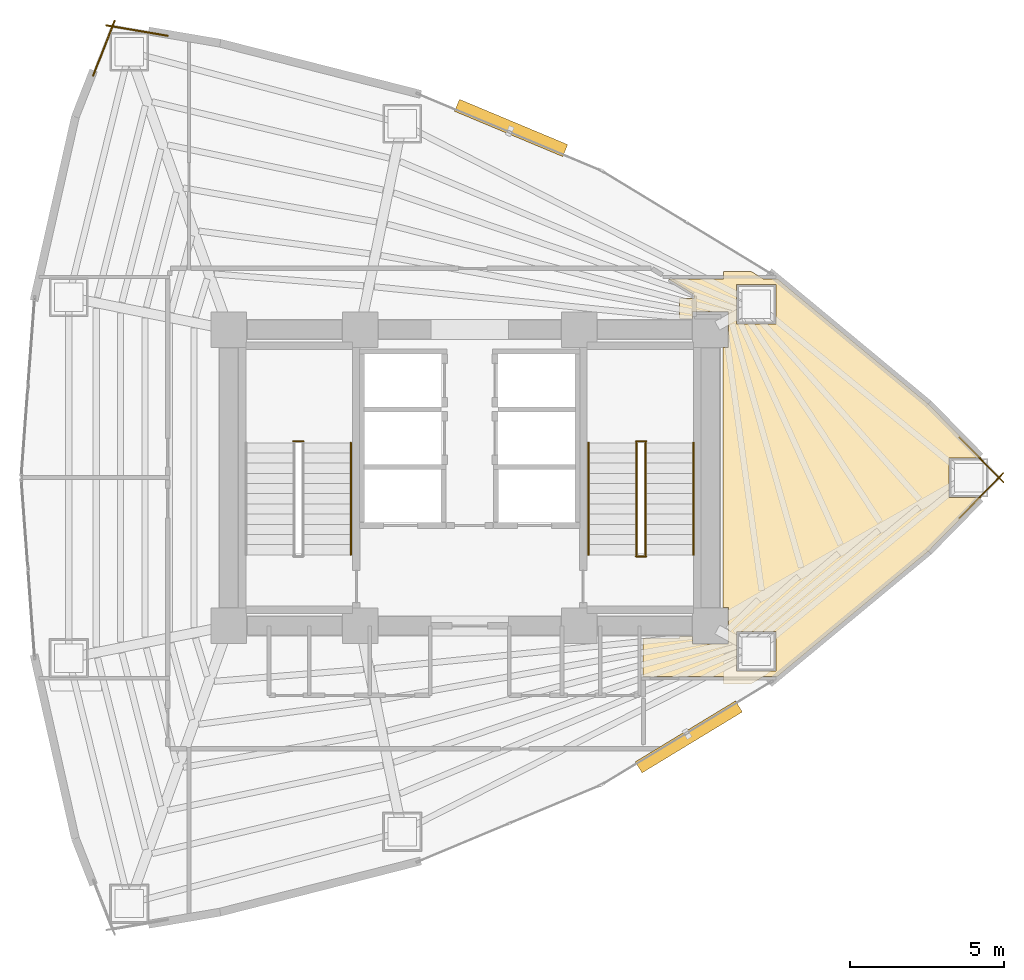
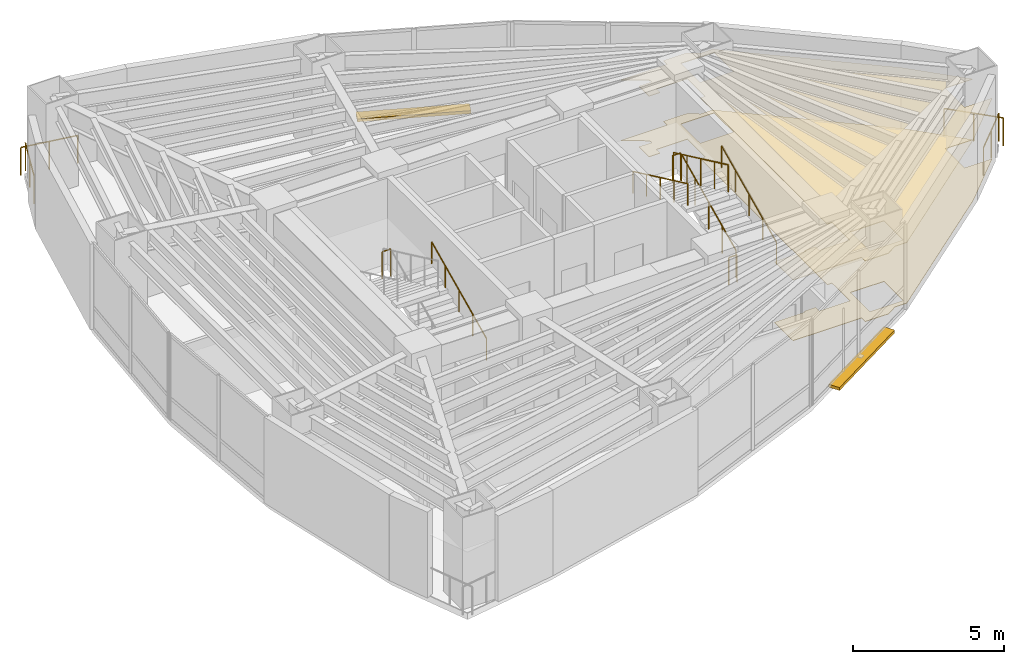
# One storey, part 16 of 16: 12 railings, 2 coverings, 2 shading devices.
"""IFC4 building model written with IfcOpenShell, lengths in metres."""

from ifc_helpers import new_model, si_unit, direction, frame, origin, origin_2d, place, context, subcontext, project, spatial, polyline, rectangle, circle, outline, extrude, material, layer, layer_set, type_object, element, save


model = new_model("IFC4")

# Units and contexts
model_context = context("Model", 3, precision=1e-05, world=origin(), true_north=direction((0.0, 1.0)))
body_context = subcontext(model_context, "Body", "Model", "MODEL_VIEW")
ifc_project = project(units=[si_unit("LENGTHUNIT", "METRE"), si_unit("AREAUNIT", "SQUARE_METRE"), si_unit("VOLUMEUNIT", "CUBIC_METRE"), si_unit("PLANEANGLEUNIT", "RADIAN"), si_unit("MASSUNIT", "GRAM", prefix="KILO")], contexts=[model_context])

# Site, building, storey
site_placement = place(None, origin())
site = spatial("IfcSite", under=ifc_project, at=site_placement, CompositionType="ELEMENT")
building_placement = place(site_placement, origin())
building = spatial("IfcBuilding", under=site, at=building_placement, Name="Menara Vayukalpa", CompositionType="ELEMENT")
storey_placement = place(building_placement, frame((0.0, 0.0, 72.239990234375)))
storey = spatial("IfcBuildingStorey", under=building, at=storey_placement, Name="L17", CompositionType="ELEMENT", Elevation=72.239990234375)

# Coverings
ifc_material_1 = material(Name="Mineral Fibre Acoustic Ceiling Tile", Category="masonry")
ifc_layer_1 = layer(ifc_material_1, 0.02490234375)
ifc_layer_set_1 = layer_set([ifc_layer_1], Name="Mineral Fibre Acoustic Ceiling Tile")
covering_type_1 = type_object("IfcCoveringType", Name="COV-CLG1", PredefinedType="CEILING", material=ifc_layer_set_1)
covering_1_placement = place(storey_placement, frame((0.0, 0.0, 2.449951171875)))
element("IfcCovering", 1, at=covering_1_placement, inside=storey, type_object=covering_type_1, Name="L17 Open Plan Office Workplace Acoustic Ceiling", PredefinedType="CEILING", context=body_context, shape_type="SweptSolid", body=[
    extrude(outline(polyline([(31.218994140625, 15.56005859375), (31.218017578125, 15.560302734375), (31.217041015625, 15.560302734375), (31.21630859375, 15.560791015625), (31.21533203125, 15.561279296875), (31.21435546875, 15.561767578125), (31.213623046875, 15.562255859375), (31.212890625, 15.56298828125), (31.21240234375, 15.563720703125), (31.211669921875, 15.564453125), (31.211181640625, 15.565185546875), (31.210693359375, 15.566162109375), (31.21044921875, 15.567138671875), (31.210205078125, 15.568115234375), (31.2099609375, 15.569091796875), (31.2099609375, 15.570068359375), (31.2099609375, 16.780029296875), (31.2099609375, 16.781005859375), (31.210205078125, 16.781982421875), (31.21044921875, 16.782958984375), (31.210693359375, 16.78369140625), (31.211181640625, 16.78466796875), (31.211669921875, 16.78564453125), (31.21240234375, 16.786376953125), (31.212890625, 16.787109375), (31.213623046875, 16.78759765625), (31.21435546875, 16.788330078125), (31.21533203125, 16.788818359375), (31.21630859375, 16.789306640625), (31.217041015625, 16.78955078125), (31.218017578125, 16.789794921875), (31.218994140625, 16.7900390625), (31.219970703125, 16.7900390625), (32.389892578125, 16.7900390625), (32.389892578125, 16.85009765625), (32.81005859375, 16.85009765625), (32.81005859375, 16.610107421875), (33.989990234375, 16.610107421875), (33.989990234375, 17.7900390625), (33.81005859375, 17.7900390625), (33.81005859375, 26.2099609375), (33.989990234375, 26.2099609375), (33.989990234375, 27.389892578125), (32.81005859375, 27.389892578125), (32.81005859375, 27.14990234375), (32.389892578125, 27.14990234375), (32.389892578125, 27.81005859375), (32.8701171875, 27.81005859375), (32.8701171875, 27.89111328125), (32.86962890625, 27.8984375), (32.868408203125, 27.905517578125), (32.86669921875, 27.912353515625), (32.8642578125, 27.919189453125), (32.861083984375, 27.925537109375), (32.857177734375, 27.931640625), (32.852783203125, 27.937255859375), (32.847900390625, 27.9423828125), (32.84228515625, 27.947021484375), (32.836181640625, 27.951171875), (32.06201171875, 28.42138671875), (32.06103515625, 28.422119140625), (32.060302734375, 28.422607421875), (32.0595703125, 28.42333984375), (32.05908203125, 28.424072265625), (32.05859375, 28.425048828125), (32.05810546875, 28.42578125), (32.0576171875, 28.4267578125), (32.057373046875, 28.427734375), (32.05712890625, 28.4287109375), (32.05712890625, 28.4296875), (32.05712890625, 28.4306640625), (32.05712890625, 28.431640625), (32.0576171875, 28.4326171875), (32.057861328125, 28.43359375), (32.05810546875, 28.4345703125), (32.05859375, 28.435302734375), (32.059326171875, 28.436279296875), (32.059814453125, 28.43701171875), (32.060791015625, 28.437744140625), (32.0615234375, 28.438232421875), (32.062255859375, 28.438720703125), (32.063232421875, 28.439208984375), (32.064208984375, 28.439697265625), (32.065185546875, 28.439697265625), (32.066162109375, 28.43994140625), (32.067138671875, 28.43994140625), (33.826904296875, 28.43994140625), (33.826904296875, 28.681640625), (34.71533203125, 28.681640625), (35.11328125, 28.43994140625), (35.5244140625, 28.43994140625), (35.530517578125, 28.440185546875), (35.5361328125, 28.441162109375), (35.5419921875, 28.442626953125), (35.54736328125, 28.444580078125), (35.5498046875, 28.445556640625), (35.550537109375, 28.446044921875), (35.551513671875, 28.4462890625), (35.552490234375, 28.446533203125), (35.55322265625, 28.446533203125), (35.55419921875, 28.446533203125), (35.55517578125, 28.446533203125), (35.55615234375, 28.4462890625), (35.55712890625, 28.446044921875), (35.55810546875, 28.44580078125), (35.558837890625, 28.4453125), (35.5595703125, 28.44482421875), (35.560302734375, 28.4443359375), (40.46044921875, 24.380615234375), (40.461181640625, 24.3798828125), (42.169677734375, 22.639892578125), (41.121826171875, 22.639892578125), (41.121826171875, 21.360107421875), (42.169677734375, 21.360107421875), (40.461181640625, 19.6201171875), (40.46044921875, 19.619384765625), (35.560302734375, 15.5556640625), (35.5595703125, 15.55517578125), (35.558837890625, 15.5546875), (35.55810546875, 15.55419921875), (35.55712890625, 15.553955078125), (35.55615234375, 15.5537109375), (35.55517578125, 15.553466796875), (35.55419921875, 15.553466796875), (35.55322265625, 15.553466796875), (35.552490234375, 15.553466796875), (35.551513671875, 15.5537109375), (35.550537109375, 15.553955078125), (35.5498046875, 15.554443359375), (35.54736328125, 15.555419921875), (35.5419921875, 15.557373046875), (35.5361328125, 15.558837890625), (35.530517578125, 15.559814453125), (35.5244140625, 15.56005859375), (35.11328125, 15.56005859375), (34.71533203125, 15.318359375), (33.826904296875, 15.318359375), (33.826904296875, 15.56005859375), (31.219970703125, 15.56005859375), (31.218994140625, 15.56005859375)]), holes=[polyline([(35.52685546875, 17.018310546875), (34.246826171875, 17.018310546875), (34.246826171875, 15.73828125), (35.52685546875, 15.73828125), (35.52685546875, 17.018310546875)]), polyline([(35.52685546875, 26.981689453125), (35.52685546875, 28.26171875), (34.246826171875, 28.26171875), (34.246826171875, 26.981689453125), (35.52685546875, 26.981689453125)])]), origin(), (0.0, 0.0, 1.0), 0.025146484375),
])
ifc_material_2 = material(Name="Porcelain Stoneware Floor Tile", Category="masonry")
ifc_layer_2 = layer(ifc_material_2, 0.02001953125)
ifc_layer_set_2 = layer_set([ifc_layer_2], Name="Porcelain Stoneware Floor Tile")
covering_type_2 = type_object("IfcCoveringType", Name="COV-FLR1", PredefinedType="FLOORING", material=ifc_layer_set_2)
covering_2_placement = place(storey_placement, origin())
element("IfcCovering", 2, at=covering_2_placement, inside=storey, type_object=covering_type_2, Name="L17 Open Plan Office Workplace Porcelain Flooring", PredefinedType="FLOORING", context=body_context, shape_type="SweptSolid", body=[
    extrude(outline(polyline([(31.218994140625, 15.56005859375), (31.218017578125, 15.560302734375), (31.217041015625, 15.560302734375), (31.21630859375, 15.560791015625), (31.21533203125, 15.561279296875), (31.21435546875, 15.561767578125), (31.213623046875, 15.562255859375), (31.212890625, 15.56298828125), (31.21240234375, 15.563720703125), (31.211669921875, 15.564453125), (31.211181640625, 15.565185546875), (31.210693359375, 15.566162109375), (31.21044921875, 15.567138671875), (31.210205078125, 15.568115234375), (31.2099609375, 15.569091796875), (31.2099609375, 15.570068359375), (31.2099609375, 16.780029296875), (31.2099609375, 16.781005859375), (31.210205078125, 16.781982421875), (31.21044921875, 16.782958984375), (31.210693359375, 16.78369140625), (31.211181640625, 16.78466796875), (31.211669921875, 16.78564453125), (31.21240234375, 16.786376953125), (31.212890625, 16.787109375), (31.213623046875, 16.78759765625), (31.21435546875, 16.788330078125), (31.21533203125, 16.788818359375), (31.21630859375, 16.789306640625), (31.217041015625, 16.78955078125), (31.218017578125, 16.789794921875), (31.218994140625, 16.7900390625), (31.219970703125, 16.7900390625), (32.389892578125, 16.7900390625), (32.389892578125, 16.85009765625), (32.81005859375, 16.85009765625), (32.81005859375, 16.610107421875), (33.989990234375, 16.610107421875), (33.989990234375, 17.7900390625), (33.81005859375, 17.7900390625), (33.81005859375, 26.2099609375), (33.989990234375, 26.2099609375), (33.989990234375, 27.389892578125), (32.81005859375, 27.389892578125), (32.81005859375, 27.14990234375), (32.389892578125, 27.14990234375), (32.389892578125, 27.81005859375), (32.8701171875, 27.81005859375), (32.8701171875, 27.89111328125), (32.86962890625, 27.8984375), (32.868408203125, 27.905517578125), (32.86669921875, 27.912353515625), (32.8642578125, 27.919189453125), (32.861083984375, 27.925537109375), (32.857177734375, 27.931640625), (32.852783203125, 27.937255859375), (32.847900390625, 27.9423828125), (32.84228515625, 27.947021484375), (32.836181640625, 27.951171875), (32.06201171875, 28.42138671875), (32.06103515625, 28.422119140625), (32.060302734375, 28.422607421875), (32.0595703125, 28.42333984375), (32.05908203125, 28.424072265625), (32.05859375, 28.425048828125), (32.05810546875, 28.42578125), (32.0576171875, 28.4267578125), (32.057373046875, 28.427734375), (32.05712890625, 28.4287109375), (32.05712890625, 28.4296875), (32.05712890625, 28.4306640625), (32.05712890625, 28.431640625), (32.0576171875, 28.4326171875), (32.057861328125, 28.43359375), (32.05810546875, 28.4345703125), (32.05859375, 28.435302734375), (32.059326171875, 28.436279296875), (32.059814453125, 28.43701171875), (32.060791015625, 28.437744140625), (32.0615234375, 28.438232421875), (32.062255859375, 28.438720703125), (32.063232421875, 28.439208984375), (32.064208984375, 28.439697265625), (32.065185546875, 28.439697265625), (32.066162109375, 28.43994140625), (32.067138671875, 28.43994140625), (33.826904296875, 28.43994140625), (33.826904296875, 28.681640625), (34.71533203125, 28.681640625), (35.11328125, 28.43994140625), (35.5244140625, 28.43994140625), (35.530517578125, 28.440185546875), (35.5361328125, 28.441162109375), (35.5419921875, 28.442626953125), (35.54736328125, 28.444580078125), (35.5498046875, 28.445556640625), (35.550537109375, 28.446044921875), (35.551513671875, 28.4462890625), (35.552490234375, 28.446533203125), (35.55322265625, 28.446533203125), (35.55419921875, 28.446533203125), (35.55517578125, 28.446533203125), (35.55615234375, 28.4462890625), (35.55712890625, 28.446044921875), (35.55810546875, 28.44580078125), (35.558837890625, 28.4453125), (35.5595703125, 28.44482421875), (35.560302734375, 28.4443359375), (40.46044921875, 24.380615234375), (40.461181640625, 24.3798828125), (42.169677734375, 22.639892578125), (41.121826171875, 22.639892578125), (41.121826171875, 21.360107421875), (42.169677734375, 21.360107421875), (40.461181640625, 19.6201171875), (40.46044921875, 19.619384765625), (35.560302734375, 15.5556640625), (35.5595703125, 15.55517578125), (35.558837890625, 15.5546875), (35.55810546875, 15.55419921875), (35.55712890625, 15.553955078125), (35.55615234375, 15.5537109375), (35.55517578125, 15.553466796875), (35.55419921875, 15.553466796875), (35.55322265625, 15.553466796875), (35.552490234375, 15.553466796875), (35.551513671875, 15.5537109375), (35.550537109375, 15.553955078125), (35.5498046875, 15.554443359375), (35.54736328125, 15.555419921875), (35.5419921875, 15.557373046875), (35.5361328125, 15.558837890625), (35.530517578125, 15.559814453125), (35.5244140625, 15.56005859375), (35.11328125, 15.56005859375), (34.71533203125, 15.318359375), (33.826904296875, 15.318359375), (33.826904296875, 15.56005859375), (31.219970703125, 15.56005859375), (31.218994140625, 15.56005859375)]), holes=[polyline([(35.52685546875, 17.018310546875), (34.246826171875, 17.018310546875), (34.246826171875, 15.73828125), (35.52685546875, 15.73828125), (35.52685546875, 17.018310546875)]), polyline([(35.52685546875, 26.981689453125), (35.52685546875, 28.26171875), (34.246826171875, 28.26171875), (34.246826171875, 26.981689453125), (35.52685546875, 26.981689453125)])]), origin(), (0.0, 0.0, 1.0), 0.02001953125),
])

# Railings
ifc_material_3 = material(Name="Laminated Glass and Stainless Steel 316 Guardrail", Category="steel")
railing_type_1 = type_object("IfcRailingType", Name="RLG-EXT115", PredefinedType="GUARDRAIL", material=ifc_material_3)
railing_1_placement = place(storey_placement, frame((41.458740234375, 20.693115234375, 0.0)))
element("IfcRailing", 3, at=railing_1_placement, inside=storey, type_object=railing_type_1, Name="L17 Column Corner Spandrel Guardrail 01-1", PredefinedType="GUARDRAIL", context=body_context, shape_type="SweptSolid", body=[
    extrude(circle(Radius=0.02392578125, at=origin_2d()), frame((0.0, 0.0, 1.1259765625), z_axis=(0.700555740742, 0.713597683652, 0.0), x_axis=(-0.713597683652, 0.700555740742, 0.0)), (0.0, 0.0, 1.0), 2.04052734375),
    extrude(circle(Radius=0.02099609375, at=origin_2d()), origin(), (0.0, 0.0, 1.0), 1.101806640625),
    extrude(circle(Radius=0.02099609375, at=origin_2d()), frame((0.71484375, 0.72802734375, 0.0)), (0.0, 0.0, 1.0), 1.101806640625),
    extrude(circle(Radius=0.02099609375, at=origin_2d()), frame((1.429443359375, 1.4560546875, 0.0)), (0.0, 0.0, 1.0), 1.101806640625),
])
railing_2_placement = place(storey_placement, frame((42.88818359375, 21.850830078125, 0.0)))
element("IfcRailing", 4, at=railing_2_placement, inside=storey, type_object=railing_type_1, Name="L17 Column Corner Spandrel Guardrail 02-1", PredefinedType="GUARDRAIL", context=body_context, shape_type="SweptSolid", body=[
    extrude(circle(Radius=0.02392578125, at=origin_2d()), frame((0.0, 0.0, 1.1259765625), z_axis=(-0.700555740742, 0.713597683652, 0.0), x_axis=(-0.713597683652, -0.700555740742, 0.0)), (0.0, 0.0, 1.0), 2.04052734375),
    extrude(circle(Radius=0.02099609375, at=origin_2d()), origin(), (0.0, 0.0, 1.0), 1.101806640625),
    extrude(circle(Radius=0.02099609375, at=origin_2d()), frame((-0.71484375, 0.72802734375, 0.0)), (0.0, 0.0, 1.0), 1.101806640625),
    extrude(circle(Radius=0.02099609375, at=origin_2d()), frame((-1.429443359375, 1.4560546875, 0.0)), (0.0, 0.0, 1.0), 1.101806640625),
])
railing_3_placement = place(storey_placement, frame((15.818359375, 36.315673828125, 0.0)))
element("IfcRailing", 5, at=railing_3_placement, inside=storey, type_object=railing_type_1, Name="L17 Column Corner Spandrel Guardrail 07-1", PredefinedType="GUARDRAIL", context=body_context, shape_type="SweptSolid", body=[
    extrude(circle(Radius=0.02392578125, at=origin_2d()), frame((0.0, 0.0, 1.1259765625), z_axis=(-0.985895977605, 0.16735925831, 0.0), x_axis=(-0.16735925831, -0.985895977605, 0.0)), (0.0, 0.0, 1.0), 2.01904296875),
    extrude(circle(Radius=0.02099609375, at=origin_2d()), origin(), (0.0, 0.0, 1.0), 1.101806640625),
    extrude(circle(Radius=0.02099609375, at=origin_2d()), frame((-0.9951171875, 0.1689453125, 0.0)), (0.0, 0.0, 1.0), 1.101806640625),
    extrude(circle(Radius=0.02099609375, at=origin_2d()), frame((-1.990478515625, 0.337890625, 0.0)), (0.0, 0.0, 1.0), 1.101806640625),
])
railing_4_placement = place(storey_placement, frame((14.09912109375, 36.806640625, 0.0)))
element("IfcRailing", 6, at=railing_4_placement, inside=storey, type_object=railing_type_1, Name="L17 Column Corner Spandrel Guardrail 08-1", PredefinedType="GUARDRAIL", context=body_context, shape_type="SweptSolid", body=[
    extrude(circle(Radius=0.02392578125, at=origin_2d()), frame((0.0, 0.0, 1.1259765625), z_axis=(-0.365573386764, -0.930782519652, 0.0), x_axis=(0.930782519652, -0.365573386764, 0.0)), (0.0, 0.0, 1.0), 1.91259765625),
    extrude(circle(Radius=0.02099609375, at=origin_2d()), origin(), (0.0, 0.0, 1.0), 1.101806640625),
    extrude(circle(Radius=0.02099609375, at=origin_2d()), frame((-0.349609375, -0.89013671875, 0.0)), (0.0, 0.0, 1.0), 1.101806640625),
    extrude(circle(Radius=0.02099609375, at=origin_2d()), frame((-0.69921875, -1.7802734375, 0.0)), (0.0, 0.0, 1.0), 1.101806640625),
])
ifc_material_4 = material(Name="Powder-Coated Galvanised Steel Guardrail", Category="steel")
railing_type_2 = type_object("IfcRailingType", Name="RLG-STG110", PredefinedType="GUARDRAIL", material=ifc_material_4)
railing_5_placement = place(storey_placement, frame((20.2099609375, 23.179931640625, 1.860107421875)))
element("IfcRailing", 7, at=railing_5_placement, inside=storey, type_object=railing_type_2, Name="L17 ST-1 stair guard 2", PredefinedType="GUARDRAIL", context=body_context, shape_type="SweptSolid", body=[
    extrude(circle(Radius=0.02392578125, at=origin_2d()), frame((0.0, 0.0, 1.09619140625), z_axis=(-1.0, 0.0, 0.0), x_axis=(0.0, -1.0, 0.0)), (0.0, 0.0, 1.0), 0.320068359375),
    extrude(circle(Radius=0.02099609375, at=origin_2d()), origin(), (0.0, 0.0, 1.0), 1.072021484375),
    extrude(circle(Radius=0.02099609375, at=origin_2d()), frame((-0.320068359375, 0.0, 0.0)), (0.0, 0.0, 1.0), 1.072021484375),
])
railing_6_placement = place(storey_placement, frame((31.300048828125, 19.5, 0.155029296875)))
element("IfcRailing", 8, at=railing_6_placement, inside=storey, type_object=railing_type_2, Name="L17 ST-2 stair guard 1", PredefinedType="GUARDRAIL", context=body_context, shape_type="SweptSolid", body=[
    extrude(circle(Radius=0.02392578125, at=origin_2d()), frame((0.0, 0.0, 1.09619140625), z_axis=(0.0, 0.90511648382, 0.425163675209), x_axis=(-1.0, 0.0, 0.0)), (0.0, 0.0, 1.0), 4.010498046875),
    extrude(circle(Radius=0.02099609375, at=origin_2d()), origin(), (0.0, 0.0, 1.0), 1.072021484375),
    extrude(circle(Radius=0.02099609375, at=origin_2d()), frame((0.0, 0.907470703125, 0.42626953125)), (0.0, 0.0, 1.0), 1.072021484375),
    extrude(circle(Radius=0.02099609375, at=origin_2d()), frame((0.0, 1.81494140625, 0.8525390625)), (0.0, 0.0, 1.0), 1.072021484375),
    extrude(circle(Radius=0.02099609375, at=origin_2d()), frame((0.0, 2.722412109375, 1.27880859375)), (0.0, 0.0, 1.0), 1.072021484375),
    extrude(circle(Radius=0.02099609375, at=origin_2d()), frame((0.0, 3.6298828125, 1.705078125)), (0.0, 0.0, 1.0), 1.072021484375),
])
railing_7_placement = place(storey_placement, frame((31.31005859375, 23.179931640625, 1.860107421875)))
element("IfcRailing", 9, at=railing_7_placement, inside=storey, type_object=railing_type_2, Name="L17 ST-2 stair guard 2", PredefinedType="GUARDRAIL", context=body_context, shape_type="SweptSolid", body=[
    extrude(circle(Radius=0.02392578125, at=origin_2d()), frame((0.0, 0.0, 1.09619140625), z_axis=(-1.0, 0.0, 0.0), x_axis=(0.0, -1.0, 0.0)), (0.0, 0.0, 1.0), 0.320068359375),
    extrude(circle(Radius=0.02099609375, at=origin_2d()), origin(), (0.0, 0.0, 1.0), 1.072021484375),
    extrude(circle(Radius=0.02099609375, at=origin_2d()), frame((-0.320068359375, 0.0, 0.0)), (0.0, 0.0, 1.0), 1.072021484375),
])
railing_8_placement = place(storey_placement, frame((31.0, 23.1298828125, 2.014892578125)))
element("IfcRailing", 10, at=railing_8_placement, inside=storey, type_object=railing_type_2, Name="L17 ST-2 stair guard 3", PredefinedType="GUARDRAIL", context=body_context, shape_type="SweptSolid", body=[
    extrude(circle(Radius=0.02392578125, at=origin_2d()), frame((0.0, 0.0, 1.09619140625), z_axis=(0.0, -0.90511648382, 0.425163675209), x_axis=(1.0, 0.0, 0.0)), (0.0, 0.0, 1.0), 4.010498046875),
    extrude(circle(Radius=0.02099609375, at=origin_2d()), origin(), (0.0, 0.0, 1.0), 1.072021484375),
    extrude(circle(Radius=0.02099609375, at=origin_2d()), frame((0.0, -0.907470703125, 0.42626953125)), (0.0, 0.0, 1.0), 1.072021484375),
    extrude(circle(Radius=0.02099609375, at=origin_2d()), frame((0.0, -1.81494140625, 0.8525390625)), (0.0, 0.0, 1.0), 1.072021484375),
    extrude(circle(Radius=0.02099609375, at=origin_2d()), frame((0.0, -2.722412109375, 1.27880859375)), (0.0, 0.0, 1.0), 1.072021484375),
    extrude(circle(Radius=0.02099609375, at=origin_2d()), frame((0.0, -3.6298828125, 1.705078125)), (0.0, 0.0, 1.0), 1.072021484375),
])
railing_9_placement = place(storey_placement, frame((31.31005859375, 19.449951171875, 0.0)))
element("IfcRailing", 11, at=railing_9_placement, inside=storey, type_object=railing_type_2, Name="L17 ST-2 stair guard 4", PredefinedType="GUARDRAIL", context=body_context, shape_type="SweptSolid", body=[
    extrude(circle(Radius=0.02392578125, at=origin_2d()), frame((0.0, 0.0, 1.09619140625), z_axis=(-1.0, 0.0, 0.0), x_axis=(0.0, -1.0, 0.0)), (0.0, 0.0, 1.0), 0.320068359375),
    extrude(circle(Radius=0.02099609375, at=origin_2d()), origin(), (0.0, 0.0, 1.0), 1.072021484375),
    extrude(circle(Radius=0.02099609375, at=origin_2d()), frame((-0.320068359375, 0.0, 0.0)), (0.0, 0.0, 1.0), 1.072021484375),
])
ifc_material_5 = material(Name="Stainless Steel 316 Tubular Handrail", Category="steel")
railing_type_3 = type_object("IfcRailingType", Name="RLG-STH090", PredefinedType="HANDRAIL", material=ifc_material_5)
for number, where, name in (
    (12, (21.75, 19.5, 0.155029296875), "L17 ST-1 stair handrail 1"),
    (13, (32.85009765625, 19.5, 0.155029296875), "L17 ST-2 stair handrail 1"),
):
    element("IfcRailing", number, at=place(storey_placement, frame(where)), inside=storey, type_object=railing_type_3, Name=name, PredefinedType="HANDRAIL", context=body_context, shape_type="SweptSolid", body=[
        extrude(circle(Radius=0.02392578125, at=origin_2d()), frame((0.0, 0.0, 0.8759765625), z_axis=(0.0, 0.90511648382, 0.425163675209), x_axis=(-1.0, 0.0, 0.0)), (0.0, 0.0, 1.0), 4.010498046875),
        extrude(circle(Radius=0.02099609375, at=origin_2d()), origin(), (0.0, 0.0, 1.0), 0.851806640625),
        extrude(circle(Radius=0.02099609375, at=origin_2d()), frame((0.0, 0.907470703125, 0.42626953125)), (0.0, 0.0, 1.0), 0.851806640625),
        extrude(circle(Radius=0.02099609375, at=origin_2d()), frame((0.0, 1.81494140625, 0.8525390625)), (0.0, 0.0, 1.0), 0.851806640625),
        extrude(circle(Radius=0.02099609375, at=origin_2d()), frame((0.0, 2.722412109375, 1.27880859375)), (0.0, 0.0, 1.0), 0.851806640625),
        extrude(circle(Radius=0.02099609375, at=origin_2d()), frame((0.0, 3.6298828125, 1.705078125)), (0.0, 0.0, 1.0), 0.851806640625),
    ])
railing_10_placement = place(storey_placement, frame((29.449951171875, 23.1298828125, 2.014892578125)))
element("IfcRailing", 14, at=railing_10_placement, inside=storey, type_object=railing_type_3, Name="L17 ST-2 stair handrail 2", PredefinedType="HANDRAIL", context=body_context, shape_type="SweptSolid", body=[
    extrude(circle(Radius=0.02392578125, at=origin_2d()), frame((0.0, 0.0, 0.8759765625), z_axis=(0.0, -0.90511648382, 0.425163675209), x_axis=(1.0, 0.0, 0.0)), (0.0, 0.0, 1.0), 4.010498046875),
    extrude(circle(Radius=0.02099609375, at=origin_2d()), origin(), (0.0, 0.0, 1.0), 0.851806640625),
    extrude(circle(Radius=0.02099609375, at=origin_2d()), frame((0.0, -0.907470703125, 0.42626953125)), (0.0, 0.0, 1.0), 0.851806640625),
    extrude(circle(Radius=0.02099609375, at=origin_2d()), frame((0.0, -1.81494140625, 0.8525390625)), (0.0, 0.0, 1.0), 0.851806640625),
    extrude(circle(Radius=0.02099609375, at=origin_2d()), frame((0.0, -2.722412109375, 1.27880859375)), (0.0, 0.0, 1.0), 0.851806640625),
    extrude(circle(Radius=0.02099609375, at=origin_2d()), frame((0.0, -3.6298828125, 1.705078125)), (0.0, 0.0, 1.0), 0.851806640625),
])

# Shading devices
ifc_material_6 = material(Name="Glazed Terracotta Ceramic Baguette Extrusion", Category="masonry")
ifc_layer_3 = layer(ifc_material_6, 0.1201171875)
ifc_layer_set_3 = layer_set([ifc_layer_3], Name="Glazed Terracotta Ceramic Baguette Extrusion")
shading_device_type = type_object("IfcShadingDeviceType", Name="SHD-SS1", PredefinedType="USERDEFINED", material=ifc_layer_set_3)
for number, where, z_axis, x_axis, name in (
    (15, (26.940673828125, 33.33056640625, -0.10009765625), (0.0, 0.0, 1.0), (-0.922544824647, 0.385889940938, 0.0), "L17 Horizontal Terracotta Sunshade Band 05"),
    (16, (32.698486328125, 13.601806640625, -0.10009765625), (0.0, 0.0, 1.0), (0.85466730962, 0.519176068272, 0.0), "L17 Horizontal Terracotta Sunshade Band 17"),
):
    element("IfcShadingDevice", number, at=place(storey_placement, frame(where, z_axis=z_axis, x_axis=x_axis)), inside=storey, type_object=shading_device_type, Name=name, ObjectType="SUNSHADE", PredefinedType="USERDEFINED", context=body_context, shape_type="SweptSolid", body=[
        extrude(rectangle(XDim=3.800048828125, YDim=0.419921875, at=origin_2d()), origin(), (0.0, 0.0, 1.0), 0.1201171875),
    ])

save(model, "model.ifc")
